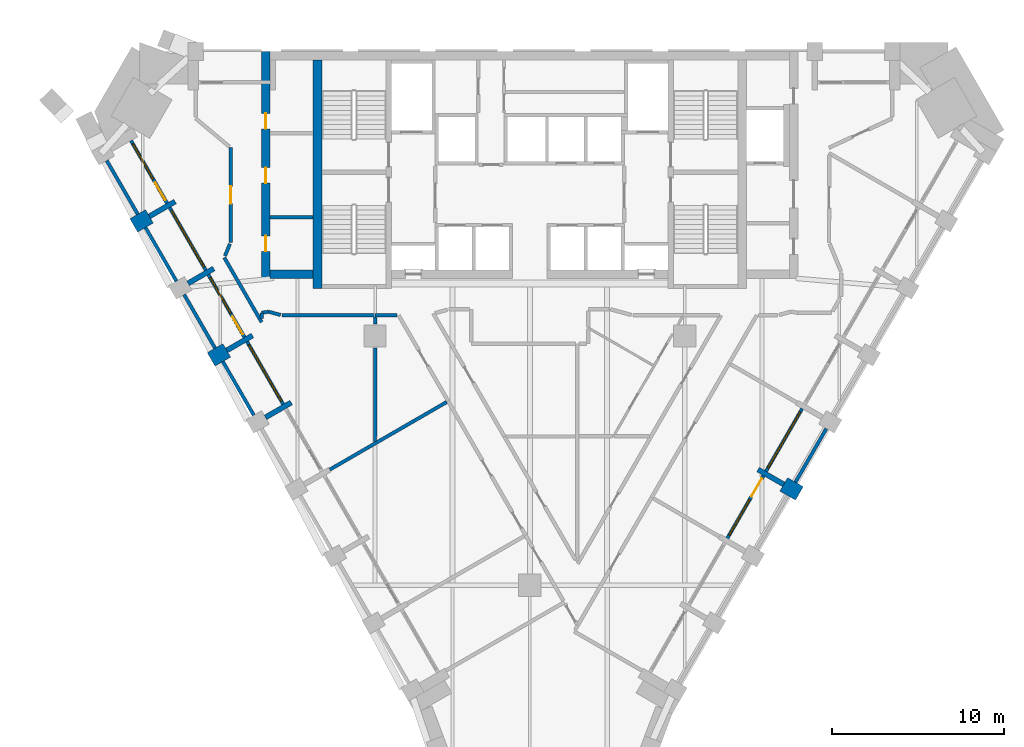
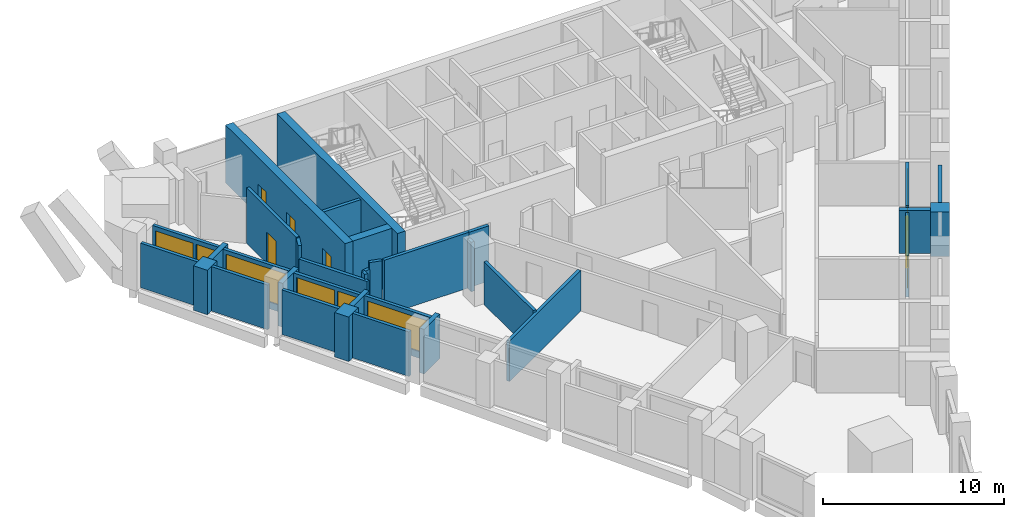
# One storey, part 4 of 10: 34 walls, 7 doors, 6 windows, 13 openings.
"""IFC4 building model written with IfcOpenShell, lengths in metres."""

import ifcopenshell
import ifcopenshell.guid

model = None  # the IFC model being written
_history = None  # IfcOwnerHistory: only IFC2X3 demands one
_inside = {}  # id of a spatial element -> (the spatial element, [elements in it])
_under = {}  # id of a project, library or spatial element -> (it, [spatial elements below it])
_declared = {}  # id of a project -> (the project, [libraries it declares])
_typed = {}  # id of a type object -> (the type object, [elements of that type])
_made_of = {}  # id of a material, layer set ... -> (it, [elements and type objects made of it])


def new_model(schema):
    """Start an empty IFC model of exactly this schema.

    Asked for "IFC4X3", IfcOpenShell would pick the latest addendum, in which some entities
    have other attributes; the version numbers below select the first issue.
    IFC2X3 requires an IfcOwnerHistory on every rooted entity: one is made here for all.
    """
    global model, _history
    if schema == "IFC4X3":
        model = ifcopenshell.file(schema_version=(4, 3, 0, 0))
    else:
        model = ifcopenshell.file(schema=schema)
    _inside.clear()
    _under.clear()
    _declared.clear()
    _typed.clear()
    _made_of.clear()
    _history = None
    if model.schema == "IFC2X3":
        org = make("IfcOrganization", Name="unknown")
        user = make(
            "IfcPersonAndOrganization",
            ThePerson=make("IfcPerson", FamilyName="unknown"),
            TheOrganization=org,
        )
        app = make(
            "IfcApplication",
            ApplicationDeveloper=org,
            Version="unknown",
            ApplicationFullName="unknown",
            ApplicationIdentifier="unknown",
        )
        _history = make(
            "IfcOwnerHistory",
            OwningUser=user,
            OwningApplication=app,
            ChangeAction="ADDED",
            CreationDate=0,
        )
    return model


def make(cls, **values):
    """One entity of the class cls with the attributes given. An attribute that is None is left unset."""
    return model.create_entity(
        cls, **{name: value for name, value in values.items() if value is not None}
    )


def rooted(cls, **values):
    """An entity with a GlobalId (a new one), such as an element, a storey or a relation."""
    return make(cls, GlobalId=ifcopenshell.guid.new(), OwnerHistory=_history, **values)


def si_unit(unit_type, name, prefix=None):
    """IfcSIUnit, for example si_unit("LENGTHUNIT", "METRE", prefix="MILLI")."""
    return make("IfcSIUnit", UnitType=unit_type, Prefix=prefix, Name=name)


def assignment(units):
    """IfcUnitAssignment: the units of a project."""
    return None if units is None else make("IfcUnitAssignment", Units=units)


def point(xyz):
    """IfcCartesianPoint."""
    return None if xyz is None else make("IfcCartesianPoint", Coordinates=xyz)


def direction(xyz):
    """IfcDirection."""
    return None if xyz is None else make("IfcDirection", DirectionRatios=xyz)


def frame(location, z_axis=None, x_axis=None):
    """IfcAxis2Placement3D, a coordinate frame: its origin and axes. An axis left out is left unset."""
    return make(
        "IfcAxis2Placement3D",
        Location=point(location),
        Axis=direction(z_axis),
        RefDirection=direction(x_axis),
    )


def frame_2d(location, x_axis=None):
    """IfcAxis2Placement2D, a coordinate frame in the plane: its origin and x axis."""
    return make(
        "IfcAxis2Placement2D", Location=point(location), RefDirection=direction(x_axis)
    )


def origin():
    """The frame at (0, 0, 0) with its axes left unset."""
    return frame((0.0, 0.0, 0.0))


def place(relative_to, where):
    """IfcLocalPlacement: puts the frame where relative to a parent placement (None: the world)."""
    return make(
        "IfcLocalPlacement", PlacementRelTo=relative_to, RelativePlacement=where
    )


def context(
    kind, dimensions, precision=None, world=None, true_north=None, identifier=None
):
    """IfcGeometricRepresentationContext, for example the 3D "Model" context."""
    return make(
        "IfcGeometricRepresentationContext",
        ContextIdentifier=identifier,
        ContextType=kind,
        CoordinateSpaceDimension=dimensions,
        Precision=precision,
        WorldCoordinateSystem=world,
        TrueNorth=true_north,
    )


def subcontext(parent, identifier, kind, view, scale=None):
    """IfcGeometricRepresentationSubContext, for example "Body" below "Model"."""
    return make(
        "IfcGeometricRepresentationSubContext",
        ContextIdentifier=identifier,
        ContextType=kind,
        ParentContext=parent,
        TargetScale=scale,
        TargetView=view,
    )


def project(units=None, contexts=None):
    """IfcProject with its units and contexts."""
    return rooted(
        "IfcProject",
        Name="project",
        RepresentationContexts=contexts,
        UnitsInContext=assignment(units),
    )


def spatial(cls, under=None, at=None, **own):
    """A site, building, storey or space (cls), placed at a placement, below another one or the project."""
    s = rooted(cls, ObjectPlacement=at, **own)
    if under is not None:
        _under.setdefault(under.id(), (under, []))[1].append(s)
    return s


def profile(cls, at=None, kind="AREA", **sizes):
    """A parametric profile (cls). Its sizes go by their IFC names, for example OverallWidth=200.0."""
    return make(cls, ProfileType=kind, Position=at, **sizes)


def rectangle(**sizes):
    """IfcRectangleProfileDef."""
    return profile("IfcRectangleProfileDef", **sizes)


def extrude(swept, where, along, depth):
    """IfcExtrudedAreaSolid: the profile swept, set in the frame where, extruded along a direction by depth."""
    return make(
        "IfcExtrudedAreaSolid",
        SweptArea=swept,
        Position=where,
        ExtrudedDirection=direction(along),
        Depth=depth,
    )


def shape(context_of_items, identifier, shape_type, items):
    """IfcShapeRepresentation: the items that make up one representation, for example the "Body"."""
    return make(
        "IfcShapeRepresentation",
        ContextOfItems=context_of_items,
        RepresentationIdentifier=identifier,
        RepresentationType=shape_type,
        Items=items,
    )


def material(Name=None, Category=None):
    """IfcMaterial."""
    return make("IfcMaterial", Name=Name, Category=Category)


def layer(
    of_material, thickness, ventilated=None, Name=None, Category=None, Priority=None
):
    """IfcMaterialLayer: one layer of a wall or slab, of a material (None: an air gap)."""
    return make(
        "IfcMaterialLayer",
        Material=of_material,
        LayerThickness=thickness,
        IsVentilated=ventilated,
        Name=Name,
        Category=Category,
        Priority=Priority,
    )


def layer_set(layers, Name=None):
    """IfcMaterialLayerSet."""
    return make("IfcMaterialLayerSet", MaterialLayers=layers, LayerSetName=Name)


def made_of(thing, what):
    """Note that an element or type object is made of a material, layer set ...; save() writes the relation."""
    if what is not None:
        _made_of.setdefault(what.id(), (what, []))[1].append(thing)
    return thing


def type_object(cls, material=None, **own):
    """A type object (cls), such as IfcWallType, which elements share."""
    return made_of(rooted(cls, **own), material)


def element(
    cls,
    number,
    at=None,
    inside=None,
    cuts=None,
    type_object=None,
    material=None,
    context=None,
    identifier="Body",
    shape_type=None,
    held_by="IfcProductDefinitionShape",
    body=None,
    shapes=None,
    **own,
):
    """One element of the class cls, such as IfcWall. Its Tag is "e" and its number.

    at: its placement. inside: the storey or other place that contains it. cuts: it is an
    opening in that element (IfcRelVoidsElement). A single representation is given by context,
    identifier, shape_type and body (its items); several are given by shapes. held_by: the class
    of the entity that holds the representations. save() writes the other relations.
    """
    e = rooted(cls, Tag="e%d" % number, ObjectPlacement=at, **own)
    if body is not None:
        shapes = [shape(context, identifier, shape_type, body)]
    if shapes is not None:
        e.Representation = make(held_by, Representations=shapes)
    if inside is not None:
        _inside.setdefault(inside.id(), (inside, []))[1].append(e)
    if cuts is not None:
        rooted(
            "IfcRelVoidsElement", RelatingBuildingElement=cuts, RelatedOpeningElement=e
        )
    if type_object is not None:
        _typed.setdefault(type_object.id(), (type_object, []))[1].append(e)
    return made_of(e, material)


def fill(opening, filler):
    """IfcRelFillsElement: the door or window that sits in an opening."""
    return rooted(
        "IfcRelFillsElement",
        RelatingOpeningElement=opening,
        RelatedBuildingElement=filler,
    )


def aggregate(whole, parts):
    """IfcRelAggregates: a whole, such as a stair, and the parts it consists of."""
    return rooted("IfcRelAggregates", RelatingObject=whole, RelatedObjects=parts)


def save(model, path):
    """Write the relations noted so far, then the file.

    IfcRelAggregates (storeys below a building ...), IfcRelContainedInSpatialStructure (elements
    in a storey), IfcRelDefinesByType, IfcRelAssociatesMaterial and IfcRelDeclares: one each for
    every whole, place, type object, material and project.
    """
    for whole, parts in _under.values():
        aggregate(whole, parts)
    for where, things in _inside.values():
        rooted(
            "IfcRelContainedInSpatialStructure",
            RelatedElements=things,
            RelatingStructure=where,
        )
    for kind, things in _typed.values():
        rooted("IfcRelDefinesByType", RelatedObjects=things, RelatingType=kind)
    for what, things in _made_of.values():
        rooted("IfcRelAssociatesMaterial", RelatedObjects=things, RelatingMaterial=what)
    for by, libraries in _declared.values():
        rooted("IfcRelDeclares", RelatingContext=by, RelatedDefinitions=libraries)
    model.write(path)


model = new_model("IFC4")

# Units and contexts
model_context = context("Model", 3, precision=1e-05, world=origin(), true_north=direction((0.0, 1.0)))
body_context = subcontext(model_context, "Body", "Model", "MODEL_VIEW")
ifc_project = project(units=[si_unit("LENGTHUNIT", "METRE"), si_unit("AREAUNIT", "SQUARE_METRE"), si_unit("VOLUMEUNIT", "CUBIC_METRE"), si_unit("PLANEANGLEUNIT", "RADIAN"), si_unit("MASSUNIT", "GRAM", prefix="KILO")], contexts=[model_context])

# Site, building, storey
site_placement = place(None, origin())
site = spatial("IfcSite", under=ifc_project, at=site_placement, CompositionType="ELEMENT")
building_placement = place(site_placement, origin())
building = spatial("IfcBuilding", under=site, at=building_placement, Name="Calabash Gate Tower", CompositionType="ELEMENT")
storey_placement = place(building_placement, frame((0.0, 0.0, 183.60009765625)))
storey = spatial("IfcBuildingStorey", under=building, at=storey_placement, Name="L43", CompositionType="ELEMENT", Elevation=183.60009765625)

# Walls
ifc_material_1 = material(Name="Terracotta brick masonry, exposed face", Category="masonry")
ifc_layer_1 = layer(ifc_material_1, 1.050048828125)
ifc_layer_set_1 = layer_set([ifc_layer_1], Name="Brick end wall 1050")
wall_type_1 = type_object("IfcWallType", Name="Brick end wall 1050", PredefinedType="SOLIDWALL", material=ifc_layer_set_1)
for number, where, z_axis, x_axis, name in (
    (1, (-23.03271484375, 8.93505859375, 0.0), (0.0, 0.0, 1.0), (0.866088799389, 0.499890179513, 0.0), "Brick pier S12 SW0.1"),
    (2, (-17.623291015625, 1.665771484375, 0.0), (0.0, 0.0, 1.0), (-0.866088799389, -0.499890179513, 0.0), "Brick pier S12 SW0.3"),
):
    element("IfcWall", number, at=place(storey_placement, frame(where, z_axis=z_axis, x_axis=x_axis)), inside=storey, type_object=wall_type_1, Name=name, PredefinedType="SOLIDWALL", context=body_context, shape_type="SweptSolid", body=[
        extrude(rectangle(XDim=1.050048828125, YDim=0.89990234375, at=frame_2d((0.52490234375, 0.0))), origin(), (0.0, 0.0, 1.0), 3.0),
    ])
wall_1_placement = place(storey_placement, frame((15.67626953125, -6.6533203125, 0.0), z_axis=(0.0, 0.0, 1.0), x_axis=(-0.866030680601, 0.499990860175, 0.0)))
element("IfcWall", 3, at=wall_1_placement, inside=storey, type_object=wall_type_1, Name="Brick pier S12 SE4.3", PredefinedType="SOLIDWALL", context=body_context, shape_type="SweptSolid", body=[
    extrude(rectangle(XDim=1.0498046875, YDim=0.89990234375, at=frame_2d((0.52490234375, 0.0))), origin(), (0.0, 0.0, 1.0), 3.0),
])
ifc_material_2 = material(Name="Terracotta brick masonry, exposed face", Category="masonry")
ifc_layer_2 = layer(ifc_material_2, 0.300048828125)
ifc_layer_set_2 = layer_set([ifc_layer_2], Name="Brick loggia cheek wall 300")
wall_type_2 = type_object("IfcWallType", Name="Brick loggia cheek wall 300", PredefinedType="SOLIDWALL", material=ifc_layer_set_2)
wall_2_placement = place(storey_placement, frame((-22.123291015625, 9.4599609375, 0.0), z_axis=(0.0, 0.0, 1.0), x_axis=(0.866013532718, 0.500020560727, 0.0)))
element("IfcWall", 4, at=wall_2_placement, inside=storey, type_object=wall_type_2, Name="Loggia cheek S12 SW0.1", PredefinedType="SOLIDWALL", context=body_context, shape_type="SweptSolid", body=[
    extrude(rectangle(XDim=1.72509765625, YDim=0.300048828125, at=frame_2d((0.862548828125, 0.0))), origin(), (0.0, 0.0, 1.0), 3.0),
])
wall_3_placement = place(storey_placement, frame((-19.873291015625, 5.56298828125, 0.0), z_axis=(0.0, 0.0, 1.0), x_axis=(0.866013532718, 0.500020560727, 0.0)))
element("IfcWall", 5, at=wall_3_placement, inside=storey, type_object=wall_type_2, Name="Loggia cheek S12 SW0.2", PredefinedType="SOLIDWALL", context=body_context, shape_type="SweptSolid", body=[
    extrude(rectangle(XDim=1.72509765625, YDim=0.300048828125, at=frame_2d((0.862548828125, 0.0))), origin(), (0.0, 0.0, 1.0), 2.949951171875),
])
wall_4_placement = place(storey_placement, frame((-17.623291015625, 1.665771484375, 0.0), z_axis=(0.0, 0.0, 1.0), x_axis=(0.866013532718, 0.500020560727, 0.0)))
element("IfcWall", 6, at=wall_4_placement, inside=storey, type_object=wall_type_2, Name="Loggia cheek S12 SW0.3", PredefinedType="SOLIDWALL", context=body_context, shape_type="SweptSolid", body=[
    extrude(rectangle(XDim=1.72509765625, YDim=0.300048828125, at=frame_2d((0.862548828125, 0.0))), origin(), (0.0, 0.0, 1.0), 3.0),
])
wall_5_placement = place(storey_placement, frame((-15.373291015625, -2.231201171875, 0.0), z_axis=(0.0, 0.0, 1.0), x_axis=(0.866074815912, 0.499914405916, 0.0)))
element("IfcWall", 7, at=wall_5_placement, inside=storey, type_object=wall_type_2, Name="Loggia cheek S12 SW0.4", PredefinedType="SOLIDWALL", context=body_context, shape_type="SweptSolid", body=[
    extrude(rectangle(XDim=1.724853515625, YDim=0.300048828125, at=frame_2d((0.8623046875, 0.0))), origin(), (0.0, 0.0, 1.0), 3.0),
])
wall_6_placement = place(storey_placement, frame((14.76708984375, -6.12841796875, 0.0), z_axis=(0.0, 0.0, 1.0), x_axis=(-0.866013532718, 0.500020560727, 0.0)))
element("IfcWall", 8, at=wall_6_placement, inside=storey, type_object=wall_type_2, Name="Loggia cheek S12 SE4.3", PredefinedType="SOLIDWALL", context=body_context, shape_type="SweptSolid", body=[
    extrude(rectangle(XDim=1.72509765625, YDim=0.300048828125, at=frame_2d((0.862548828125, 0.0))), origin(), (0.0, 0.0, 1.0), 2.884033203125),
])
ifc_material_3 = material(Name="Gypsum board on steel studs, mineral wool", Category="steel")
ifc_layer_3 = layer(ifc_material_3, 0.199951171875)
ifc_layer_set_3 = layer_set([ifc_layer_3], Name="Core partition 200 gypsum board")
wall_type_3 = type_object("IfcWallType", Name="Core partition 200 gypsum board", PredefinedType="PARTITIONING", material=ifc_layer_set_3)
wall_7_placement = place(storey_placement, frame((-15.10009765625, 9.402587890625, 0.0), z_axis=(0.0, 0.0, 1.0), x_axis=(1.0, 0.0, 0.0)))
element("IfcWall", 9, at=wall_7_placement, inside=storey, type_object=wall_type_3, Name="Core partition", PredefinedType="PARTITIONING", context=body_context, shape_type="SweptSolid", body=[
    extrude(rectangle(XDim=2.5, YDim=0.199951171875, at=frame_2d((1.25, 0.0))), origin(), (0.0, 0.0, 1.0), 3.72998046875),
])
ifc_material_4 = material(Name="Concrete C70/85", Category="concrete")
ifc_layer_4 = layer(ifc_material_4, 0.5)
ifc_layer_set_4 = layer_set([ifc_layer_4], Name="Core wall 500 Concrete C70/85")
wall_type_4 = type_object("IfcWallType", Name="Core wall 500 Concrete C70/85", PredefinedType="SHEAR", material=ifc_layer_set_4)
wall_8_placement = place(storey_placement, frame((-12.35009765625, 5.252685546875, 0.0), z_axis=(0.0, 0.0, 1.0), x_axis=(0.0, 1.0, 0.0)))
element("IfcWall", 10, at=wall_8_placement, inside=storey, type_object=wall_type_4, Name="Core wall Z3-COLW L43", PredefinedType="SHEAR", context=body_context, shape_type="SweptSolid", body=[
    extrude(rectangle(XDim=13.2998046875, YDim=0.5, at=frame_2d((6.64990234375, 0.0))), origin(), (0.0, 0.0, 1.0), 3.89990234375),
])
wall_9_placement = place(storey_placement, frame((-12.60009765625, 6.1025390625, 0.0), z_axis=(0.0, 0.0, 1.0), x_axis=(-1.0, 0.0, 0.0)))
element("IfcWall", 11, at=wall_9_placement, inside=storey, type_object=wall_type_4, Name="Core wall Z3-SW L43", PredefinedType="SHEAR", context=body_context, shape_type="SweptSolid", body=[
    extrude(rectangle(XDim=2.5, YDim=0.5, at=frame_2d((1.25, 0.0))), origin(), (0.0, 0.0, 1.0), 3.89990234375),
])

# Wall, openings, doors
wall_10_placement = place(storey_placement, frame((-15.35009765625, 5.8525390625, 0.0), z_axis=(0.0, 0.0, 1.0), x_axis=(0.0, 1.0, 0.0)))
wall_10 = element("IfcWall", 12, at=wall_10_placement, inside=storey, type_object=wall_type_4, Name="Core wall Z3-ENDW L43", PredefinedType="SHEAR", context=body_context, shape_type="SweptSolid", body=[
    extrude(rectangle(XDim=13.199951171875, YDim=0.5, at=frame_2d((6.60009765625, 0.0))), origin(), (0.0, 0.0, 1.0), 3.89990234375),
])
opening_1_placement = place(wall_10_placement, frame((1.574951171875, 0.0, 0.0)))
opening_1 = element("IfcOpeningElement", 13, at=opening_1_placement, cuts=wall_10, Name="Opening O4-004", PredefinedType="OPENING", context=body_context, shape_type="SweptSolid", body=[
    extrude(rectangle(XDim=0.89990234375, YDim=2.10009765625, at=frame_2d((0.449951171875, 1.050048828125))), frame((0.0, 0.260009765625, 0.0), z_axis=(0.0, -1.0, 0.0), x_axis=(1.0, 0.0, 0.0)), (0.0, 0.0, 1.0), 0.52001953125),
])
opening_2_placement = place(wall_10_placement, frame((5.5400390625, 0.0, 0.0)))
opening_2 = element("IfcOpeningElement", 14, at=opening_2_placement, cuts=wall_10, Name="Opening O4-005", PredefinedType="OPENING", context=body_context, shape_type="SweptSolid", body=[
    extrude(rectangle(XDim=0.89990234375, YDim=2.10009765625, at=frame_2d((0.449951171875, 1.050048828125))), frame((0.0, 0.260009765625, 0.0), z_axis=(0.0, -1.0, 0.0), x_axis=(1.0, 0.0, 0.0)), (0.0, 0.0, 1.0), 0.52001953125),
])
opening_3_placement = place(wall_10_placement, frame((8.697509765625, 0.0, 0.0)))
opening_3 = element("IfcOpeningElement", 15, at=opening_3_placement, cuts=wall_10, Name="Opening O4-006", PredefinedType="OPENING", context=body_context, shape_type="SweptSolid", body=[
    extrude(rectangle(XDim=0.89990234375, YDim=2.10009765625, at=frame_2d((0.449951171875, 1.050048828125))), frame((0.0, 0.260009765625, 0.0), z_axis=(0.0, -1.0, 0.0), x_axis=(1.0, 0.0, 0.0)), (0.0, 0.0, 1.0), 0.52001953125),
])
ifc_material_5 = material(Name="Steel fire door set with fire-resisting glazing", Category="steel")
door_type_1 = type_object("IfcDoorType", Name="Fire door D06 900x2100 FD60", OperationType="NOTDEFINED", PredefinedType="DOOR", material=ifc_material_5)
door_1_placement = place(opening_1_placement, origin())
door_1 = element("IfcDoor", 16, at=door_1_placement, inside=storey, type_object=door_type_1, Name="Meter Room door", OperationType="SINGLE_SWING_LEFT", OverallHeight=2.10009765625, OverallWidth=0.89990234375, PredefinedType="DOOR", context=body_context, shape_type="SweptSolid", body=[
    extrude(rectangle(XDim=0.89990234375, YDim=2.10009765625, at=frame_2d((0.449951171875, 1.050048828125))), frame((0.0, 0.02490234375, 0.0), z_axis=(0.0, -1.0, 0.0), x_axis=(1.0, 0.0, 0.0)), (0.0, 0.0, 1.0), 0.050048828125),
])
fill(opening_1, door_1)
door_2_placement = place(opening_2_placement, origin())
door_2 = element("IfcDoor", 17, at=door_2_placement, inside=storey, type_object=door_type_1, Name="Men's WC door", OperationType="SINGLE_SWING_LEFT", OverallHeight=2.10009765625, OverallWidth=0.89990234375, PredefinedType="DOOR", context=body_context, shape_type="SweptSolid", body=[
    extrude(rectangle(XDim=0.89990234375, YDim=2.10009765625, at=frame_2d((0.449951171875, 1.050048828125))), frame((0.0, 0.02490234375, 0.0), z_axis=(0.0, -1.0, 0.0), x_axis=(1.0, 0.0, 0.0)), (0.0, 0.0, 1.0), 0.050048828125),
])
fill(opening_2, door_2)
door_3_placement = place(opening_3_placement, origin())
door_3 = element("IfcDoor", 18, at=door_3_placement, inside=storey, type_object=door_type_1, Name="Women's WC door", OperationType="SINGLE_SWING_LEFT", OverallHeight=2.10009765625, OverallWidth=0.89990234375, PredefinedType="DOOR", context=body_context, shape_type="SweptSolid", body=[
    extrude(rectangle(XDim=0.89990234375, YDim=2.10009765625, at=frame_2d((0.449951171875, 1.050048828125))), frame((0.0, 0.02490234375, 0.0), z_axis=(0.0, -1.0, 0.0), x_axis=(1.0, 0.0, 0.0)), (0.0, 0.0, 1.0), 0.050048828125),
])
fill(opening_3, door_3)

# Walls
ifc_material_6 = material(Name="Gypsum board on steel studs, mineral wool", Category="steel")
ifc_layer_5 = layer(ifc_material_6, 0.199951171875)
ifc_layer_set_5 = layer_set([ifc_layer_5], Name="Partition 200 gypsum board EI 60")
wall_type_5 = type_object("IfcWallType", Name="Partition 200 gypsum board EI 60", PredefinedType="PARTITIONING", material=ifc_layer_set_5)
wall_11_placement = place(storey_placement, frame((-11.629638671875, -5.265380859375, 0.0), z_axis=(0.0, 0.0, 1.0), x_axis=(0.865784523432, 0.500416985109, 0.0)))
element("IfcWall", 19, at=wall_11_placement, inside=storey, type_object=wall_type_5, Name="Partition", PredefinedType="PARTITIONING", context=body_context, shape_type="SweptSolid", body=[
    extrude(rectangle(XDim=7.849365234375, YDim=0.199951171875, at=frame_2d((3.9248046875, 0.0))), origin(), (0.0, 0.0, 1.0), 2.74169921875),
])
wall_12_placement = place(storey_placement, frame((-9.001708984375, -3.646484375, 0.0), z_axis=(0.0, 0.0, 1.0), x_axis=(0.000268949741, 0.999999963833, 0.0)))
element("IfcWall", 20, at=wall_12_placement, inside=storey, type_object=wall_type_5, Name="Partition", PredefinedType="PARTITIONING", context=body_context, shape_type="SweptSolid", body=[
    extrude(rectangle(XDim=5.446533203125, YDim=0.199951171875, at=frame_2d((2.72314453125, 0.0))), origin(), (0.0, 0.0, 1.0), 2.884033203125),
])
wall_13_placement = place(storey_placement, frame((-9.001708984375, 3.599609375, 0.0), z_axis=(0.0, 0.0, 1.0), x_axis=(0.003665216676, -0.999993283071, 0.0)))
element("IfcWall", 21, at=wall_13_placement, inside=storey, type_object=wall_type_5, Name="Partition", PredefinedType="PARTITIONING", context=body_context, shape_type="SweptSolid", body=[
    extrude(rectangle(XDim=0.399658203125, YDim=0.199951171875, at=frame_2d((0.19970703125, 0.0))), origin(), (0.0, 0.0, 1.0), 3.33154296875),
])
wall_14_placement = place(storey_placement, frame((-17.7666015625, 7.06298828125, 0.0), z_axis=(0.0, 0.0, 1.0), x_axis=(0.500011878817, -0.866018545437, 0.0)))
element("IfcWall", 22, at=wall_14_placement, inside=storey, type_object=wall_type_5, Name="Partition", PredefinedType="PARTITIONING", context=body_context, shape_type="SweptSolid", body=[
    extrude(rectangle(XDim=4.33251953125, YDim=0.199951171875, at=frame_2d((2.166259765625, 0.0))), origin(), (0.0, 0.0, 1.0), 2.949951171875),
])
wall_15_placement = place(storey_placement, frame((-14.39990234375, 3.699462890625, 0.0), z_axis=(0.0, 0.0, 1.0), x_axis=(0.999999963202, -0.000271284522, 0.0)))
element("IfcWall", 23, at=wall_15_placement, inside=storey, type_object=wall_type_5, Name="Partition", PredefinedType="PARTITIONING", context=body_context, shape_type="SweptSolid", body=[
    extrude(rectangle(XDim=5.399658203125, YDim=0.199951171875, at=frame_2d((2.69970703125, 0.0))), origin(), (0.0, 0.0, 1.0), 3.72998046875),
])
wall_16_placement = place(storey_placement, frame((-9.0, 3.697998046875, 0.0), z_axis=(0.0, 0.0, 1.0), x_axis=(0.999999338651, 0.001150085496, 0.0)))
element("IfcWall", 24, at=wall_16_placement, inside=storey, type_object=wall_type_5, Name="Partition", PredefinedType="PARTITIONING", context=body_context, shape_type="SweptSolid", body=[
    extrude(rectangle(XDim=1.273681640625, YDim=0.199951171875, at=frame_2d((0.63671875, 0.0))), origin(), (0.0, 0.0, 1.0), 3.72998046875),
])
wall_17_placement = place(storey_placement, frame((-15.193359375, 3.91455078125, 0.0), z_axis=(0.0, 0.0, 1.0), x_axis=(0.965137431954, -0.26174364833, 0.0)))
element("IfcWall", 25, at=wall_17_placement, inside=storey, type_object=wall_type_5, Name="Partition", PredefinedType="PARTITIONING", context=body_context, shape_type="SweptSolid", body=[
    extrude(rectangle(XDim=0.721923828125, YDim=0.199951171875, at=frame_2d((0.36083984375, 0.0))), origin(), (0.0, 0.0, 1.0), 3.72998046875),
])
wall_18_placement = place(storey_placement, frame((-15.60009765625, 3.510498046875, 0.0), z_axis=(0.0, 0.0, 1.0), x_axis=(0.001429591105, 0.999998978134, 0.0)))
element("IfcWall", 26, at=wall_18_placement, inside=storey, type_object=wall_type_5, Name="Partition", PredefinedType="PARTITIONING", context=body_context, shape_type="SweptSolid", body=[
    extrude(rectangle(XDim=0.341552734375, YDim=0.199951171875, at=frame_2d((0.1708984375, 0.0))), origin(), (0.0, 0.0, 1.0), 3.281982421875),
])
wall_19_placement = place(storey_placement, frame((-15.599609375, 3.85205078125, 0.0), z_axis=(0.0, 0.0, 1.0), x_axis=(0.988371697651, 0.152057184254, 0.0)))
element("IfcWall", 27, at=wall_19_placement, inside=storey, type_object=wall_type_5, Name="Partition", PredefinedType="PARTITIONING", context=body_context, shape_type="SweptSolid", body=[
    extrude(rectangle(XDim=0.4111328125, YDim=0.199951171875, at=frame_2d((0.20556640625, 0.0))), origin(), (0.0, 0.0, 1.0), 3.281982421875),
])
wall_20_placement = place(storey_placement, frame((-17.728515625, 7.155517578125, 0.0), z_axis=(0.0, 0.0, 1.0), x_axis=(0.380379071784, 0.924830666527, 0.0)))
element("IfcWall", 28, at=wall_20_placement, inside=storey, type_object=wall_type_5, Name="Partition", PredefinedType="PARTITIONING", context=body_context, shape_type="SweptSolid", body=[
    extrude(rectangle(XDim=0.761962890625, YDim=0.199951171875, at=frame_2d((0.380859375, 0.0))), origin(), (0.0, 0.0, 1.0), 3.72998046875),
])

# Wall, opening, door
wall_21_placement = place(storey_placement, frame((-17.400390625, 7.95263671875, 0.0), z_axis=(0.0, 0.0, 1.0), x_axis=(0.0, 1.0, 0.0)))
wall_21 = element("IfcWall", 29, at=wall_21_placement, inside=storey, type_object=wall_type_5, Name="Partition", PredefinedType="PARTITIONING", context=body_context, shape_type="SweptSolid", body=[
    extrude(rectangle(XDim=5.499755859375, YDim=0.199951171875, at=frame_2d((2.75, 0.0))), origin(), (0.0, 0.0, 1.0), 3.72998046875),
])
opening_4_placement = place(wall_21_placement, frame((2.249755859375, 0.0, 0.0)))
opening_4 = element("IfcOpeningElement", 30, at=opening_4_placement, cuts=wall_21, Name="Opening 42-44-013", PredefinedType="OPENING", context=body_context, shape_type="SweptSolid", body=[
    extrude(rectangle(XDim=1.0, YDim=2.10009765625, at=frame_2d((0.5, 1.050048828125))), frame((0.0, 0.10986328125, 0.0), z_axis=(0.0, -1.0, 0.0), x_axis=(1.0, 0.0, 0.0)), (0.0, 0.0, 1.0), 0.219970703125),
])
ifc_material_7 = material(Name="Steel fire door set with fire-resisting glazing", Category="steel")
door_type_2 = type_object("IfcDoorType", Name="LD2 Meeting room door 1000x2100", OperationType="NOTDEFINED", PredefinedType="DOOR", material=ifc_material_7)
door_4_placement = place(opening_4_placement, origin())
door_4 = element("IfcDoor", 31, at=door_4_placement, inside=storey, type_object=door_type_2, Name="Meeting room door", OperationType="SINGLE_SWING_RIGHT", OverallHeight=2.10009765625, OverallWidth=1.0, PredefinedType="DOOR", context=body_context, shape_type="SweptSolid", body=[
    extrude(rectangle(XDim=1.0, YDim=2.10009765625, at=frame_2d((0.5, 1.050048828125))), frame((0.0, 0.02490234375, 0.0), z_axis=(0.0, -1.0, 0.0), x_axis=(1.0, 0.0, 0.0)), (0.0, 0.0, 1.0), 0.050048828125),
])
fill(opening_4, door_4)

# Walls
ifc_material_8 = material(Name="Terracotta brick masonry, perforated", Category="masonry")
ifc_layer_6 = layer(ifc_material_8, 0.199951171875)
ifc_layer_set_6 = layer_set([ifc_layer_6], Name="Terracotta jaali screen B")
wall_type_6 = type_object("IfcWallType", Name="Terracotta jaali screen B", PredefinedType="SOLIDWALL", material=ifc_layer_set_6)
wall_22_placement = place(storey_placement, frame((-24.60302734375, 12.705078125, 0.0), z_axis=(0.0, 0.0, 1.0), x_axis=(0.499982693035, -0.866035395735, 0.0)))
element("IfcWall", 32, at=wall_22_placement, inside=storey, type_object=wall_type_6, Name="SCREEN B S12 SW0.1", PredefinedType="SOLIDWALL", context=body_context, shape_type="SweptSolid", body=[
    extrude(rectangle(XDim=3.600341796875, YDim=0.199951171875, at=frame_2d((1.80029296875, 0.0))), origin(), (0.0, 0.0, 1.0), 3.0),
])
for number, where, z_axis, x_axis, name in (
    (33, (-22.35302734375, 8.807861328125, 0.0), (0.0, 0.0, 1.0), (0.500012057535, -0.866018442252, 0.0), "SCREEN B S12 SW0.2"),
    (34, (-20.10302734375, 4.91064453125, 0.0), (0.0, 0.0, 1.0), (0.500012057535, -0.866018442252, 0.0), "SCREEN B S12 SW0.3"),
    (35, (-17.85302734375, 1.013671875, 0.0), (0.0, 0.0, 1.0), (0.500012057535, -0.866018442252, 0.0), "SCREEN B S12 SW0.4"),
):
    element("IfcWall", number, at=place(storey_placement, frame(where, z_axis=z_axis, x_axis=x_axis)), inside=storey, type_object=wall_type_6, Name=name, PredefinedType="SOLIDWALL", context=body_context, shape_type="SweptSolid", body=[
        extrude(rectangle(XDim=3.60009765625, YDim=0.199951171875, at=frame_2d((1.800048828125, 0.0))), origin(), (0.0, 0.0, 1.0), 3.0),
    ])
wall_23_placement = place(storey_placement, frame((15.44677734375, -6.001220703125, 0.0), z_axis=(0.0, 0.0, 1.0), x_axis=(0.499961193289, 0.866047807691, 0.0)))
element("IfcWall", 36, at=wall_23_placement, inside=storey, type_object=wall_type_6, Name="SCREEN B S12 SE4.4", PredefinedType="SOLIDWALL", context=body_context, shape_type="SweptSolid", body=[
    extrude(rectangle(XDim=3.599853515625, YDim=0.199951171875, at=frame_2d((1.7998046875, 0.0))), origin(), (0.0, 0.0, 1.0), 3.0),
])

# Wall, openings, door, window
ifc_material_9 = material(Name="Aluminium framed window wall with insulated spandrel", Category="aluminium")
ifc_layer_7 = layer(ifc_material_9, 0.199951171875)
ifc_layer_set_7 = layer_set([ifc_layer_7], Name="Window wall 200")
wall_type_7 = type_object("IfcWallType", Name="Window wall 200", PredefinedType="ELEMENTEDWALL", material=ifc_layer_set_7)
wall_24_placement = place(storey_placement, frame((-23.194091796875, 13.86474609375, 0.0), z_axis=(0.0, 0.0, 1.0), x_axis=(0.49998411664, -0.866034573852, 0.0)))
wall_24 = element("IfcWall", 37, at=wall_24_placement, inside=storey, type_object=wall_type_7, Name="Window wall S12 SW0.1", PredefinedType="ELEMENTEDWALL", context=body_context, shape_type="SweptSolid", body=[
    extrude(rectangle(XDim=4.199951171875, YDim=0.199951171875, at=frame_2d((2.10009765625, 0.0))), origin(), (0.0, 0.0, 1.0), 3.0),
])
opening_5_placement = place(wall_24_placement, frame((0.199951171875, 0.0, 0.449951171875)))
opening_5 = element("IfcOpeningElement", 38, at=opening_5_placement, cuts=wall_24, Name="Opening OW1", PredefinedType="OPENING", context=body_context, shape_type="SweptSolid", body=[
    extrude(rectangle(XDim=2.39990234375, YDim=2.25, at=frame_2d((1.199951171875, 1.125))), frame((0.0, 0.10986328125, 0.0), z_axis=(0.0, -1.0, 0.0), x_axis=(1.0, 0.0, 0.0)), (0.0, 0.0, 1.0), 0.219970703125),
])
opening_6_placement = place(wall_24_placement, frame((2.800048828125, 0.0, 0.0)))
opening_6 = element("IfcOpeningElement", 39, at=opening_6_placement, cuts=wall_24, Name="Opening O4-025", PredefinedType="OPENING", context=body_context, shape_type="SweptSolid", body=[
    extrude(rectangle(XDim=1.199951171875, YDim=2.699951171875, at=frame_2d((0.60009765625, 1.35009765625))), frame((0.0, 0.10986328125, 0.0), z_axis=(0.0, -1.0, 0.0), x_axis=(1.0, 0.0, 0.0)), (0.0, 0.0, 1.0), 0.219970703125),
])
ifc_material_10 = material(Name="Anodised aluminium frame, bronze finish, impact-rated laminated clear glazing", Category="aluminium")
door_type_3 = type_object("IfcDoorType", Name="Loggia door DO1 1200x2700", OperationType="SLIDING_TO_LEFT", PredefinedType="DOOR", material=ifc_material_10)
door_5_placement = place(opening_6_placement, origin())
door_5 = element("IfcDoor", 40, at=door_5_placement, inside=storey, type_object=door_type_3, Name="Loggia door S12 SW0.1", OperationType="SINGLE_SWING_LEFT", OverallHeight=2.699951171875, OverallWidth=1.199951171875, PredefinedType="DOOR", context=body_context, shape_type="SweptSolid", body=[
    extrude(rectangle(XDim=1.199951171875, YDim=2.699951171875, at=frame_2d((0.60009765625, 1.35009765625))), frame((0.0, 0.02490234375, 0.0), z_axis=(0.0, -1.0, 0.0), x_axis=(1.0, 0.0, 0.0)), (0.0, 0.0, 1.0), 0.050048828125),
])
fill(opening_6, door_5)
ifc_material_11 = material(Name="Anodised aluminium frame, bronze finish, impact-rated laminated clear glazing", Category="aluminium")
window_type_1 = type_object("IfcWindowType", Name="Window OW1 2400x2250", PartitioningType="DOUBLE_PANEL_VERTICAL", PredefinedType="WINDOW", material=ifc_material_11)
window_1_placement = place(opening_5_placement, origin())
window_1 = element("IfcWindow", 41, at=window_1_placement, inside=storey, type_object=window_type_1, Name="Window OW1 S12 SW0.1", OverallHeight=2.25, OverallWidth=2.39990234375, PartitioningType="SINGLE_PANEL", PredefinedType="WINDOW", context=body_context, shape_type="SweptSolid", body=[
    extrude(rectangle(XDim=2.39990234375, YDim=2.25, at=frame_2d((1.199951171875, 1.125))), frame((0.0, 0.030029296875, 0.0), z_axis=(0.0, -1.0, 0.0), x_axis=(1.0, 0.0, 0.0)), (0.0, 0.0, 1.0), 0.06005859375),
])
fill(opening_5, window_1)

# Wall, opening, window
wall_25_placement = place(storey_placement, frame((-20.944091796875, 9.9677734375, 0.0), z_axis=(0.0, 0.0, 1.0), x_axis=(0.499958946799, -0.866049104564, 0.0)))
wall_25 = element("IfcWall", 42, at=wall_25_placement, inside=storey, type_object=wall_type_7, Name="Window wall S12 SW0.2", PredefinedType="ELEMENTEDWALL", context=body_context, shape_type="SweptSolid", body=[
    extrude(rectangle(XDim=4.199951171875, YDim=0.199951171875, at=frame_2d((2.10009765625, 0.0))), origin(), (0.0, 0.0, 1.0), 2.973388671875),
])
opening_7_placement = place(wall_25_placement, frame((0.199951171875, 0.0, 0.449951171875)))
opening_7 = element("IfcOpeningElement", 43, at=opening_7_placement, cuts=wall_25, Name="Opening OW2", PredefinedType="OPENING", context=body_context, shape_type="SweptSolid", body=[
    extrude(rectangle(XDim=3.800048828125, YDim=2.25, at=frame_2d((1.89990234375, 1.125))), frame((0.0, 0.10986328125, 0.0), z_axis=(0.0, -1.0, 0.0), x_axis=(1.0, 0.0, 0.0)), (0.0, 0.0, 1.0), 0.219970703125),
])
ifc_material_12 = material(Name="Anodised aluminium frame, bronze finish, impact-rated laminated clear glazing", Category="aluminium")
window_type_2 = type_object("IfcWindowType", Name="Window OW2 3800x2250", PartitioningType="TRIPLE_PANEL_VERTICAL", PredefinedType="WINDOW", material=ifc_material_12)
window_2_placement = place(opening_7_placement, origin())
window_2 = element("IfcWindow", 44, at=window_2_placement, inside=storey, type_object=window_type_2, Name="Window OW2 S12 SW0.2", OverallHeight=2.25, OverallWidth=3.800048828125, PartitioningType="SINGLE_PANEL", PredefinedType="WINDOW", context=body_context, shape_type="SweptSolid", body=[
    extrude(rectangle(XDim=3.800048828125, YDim=2.25, at=frame_2d((1.89990234375, 1.125))), frame((0.0, 0.030029296875, 0.0), z_axis=(0.0, -1.0, 0.0), x_axis=(1.0, 0.0, 0.0)), (0.0, 0.0, 1.0), 0.06005859375),
])
fill(opening_7, window_2)

# Wall, openings, door, window
wall_26_placement = place(storey_placement, frame((-18.694091796875, 6.070556640625, 0.0), z_axis=(0.0, 0.0, 1.0), x_axis=(0.49998411664, -0.866034573852, 0.0)))
wall_26 = element("IfcWall", 45, at=wall_26_placement, inside=storey, type_object=wall_type_7, Name="Window wall S12 SW0.3", PredefinedType="ELEMENTEDWALL", context=body_context, shape_type="SweptSolid", body=[
    extrude(rectangle(XDim=4.199951171875, YDim=0.199951171875, at=frame_2d((2.10009765625, 0.0))), origin(), (0.0, 0.0, 1.0), 2.949951171875),
])
opening_8_placement = place(wall_26_placement, frame((0.199951171875, 0.0, 0.449951171875)))
opening_8 = element("IfcOpeningElement", 46, at=opening_8_placement, cuts=wall_26, Name="Opening OW1", PredefinedType="OPENING", context=body_context, shape_type="SweptSolid", body=[
    extrude(rectangle(XDim=2.39990234375, YDim=2.25, at=frame_2d((1.199951171875, 1.125))), frame((0.0, 0.10986328125, 0.0), z_axis=(0.0, -1.0, 0.0), x_axis=(1.0, 0.0, 0.0)), (0.0, 0.0, 1.0), 0.219970703125),
])
opening_9_placement = place(wall_26_placement, frame((2.800048828125, 0.0, 0.0)))
opening_9 = element("IfcOpeningElement", 47, at=opening_9_placement, cuts=wall_26, Name="Opening O4-026", PredefinedType="OPENING", context=body_context, shape_type="SweptSolid", body=[
    extrude(rectangle(XDim=1.199951171875, YDim=2.699951171875, at=frame_2d((0.60009765625, 1.35009765625))), frame((0.0, 0.10986328125, 0.0), z_axis=(0.0, -1.0, 0.0), x_axis=(1.0, 0.0, 0.0)), (0.0, 0.0, 1.0), 0.219970703125),
])
door_6_placement = place(opening_9_placement, origin())
door_6 = element("IfcDoor", 48, at=door_6_placement, inside=storey, type_object=door_type_3, Name="Loggia door S12 SW0.3", OperationType="SINGLE_SWING_LEFT", OverallHeight=2.699951171875, OverallWidth=1.199951171875, PredefinedType="DOOR", context=body_context, shape_type="SweptSolid", body=[
    extrude(rectangle(XDim=1.199951171875, YDim=2.699951171875, at=frame_2d((0.60009765625, 1.35009765625))), frame((0.0, 0.02490234375, 0.0), z_axis=(0.0, -1.0, 0.0), x_axis=(1.0, 0.0, 0.0)), (0.0, 0.0, 1.0), 0.050048828125),
])
fill(opening_9, door_6)
window_3_placement = place(opening_8_placement, origin())
window_3 = element("IfcWindow", 49, at=window_3_placement, inside=storey, type_object=window_type_1, Name="Window OW1 S12 SW0.3", OverallHeight=2.25, OverallWidth=2.39990234375, PartitioningType="SINGLE_PANEL", PredefinedType="WINDOW", context=body_context, shape_type="SweptSolid", body=[
    extrude(rectangle(XDim=2.39990234375, YDim=2.25, at=frame_2d((1.199951171875, 1.125))), frame((0.0, 0.030029296875, 0.0), z_axis=(0.0, -1.0, 0.0), x_axis=(1.0, 0.0, 0.0)), (0.0, 0.0, 1.0), 0.06005859375),
])
fill(opening_8, window_3)

# Wall, opening, window
wall_27_placement = place(storey_placement, frame((-16.444091796875, 2.17333984375, 0.0), z_axis=(0.0, 0.0, 1.0), x_axis=(0.49998411664, -0.866034573852, 0.0)))
wall_27 = element("IfcWall", 50, at=wall_27_placement, inside=storey, type_object=wall_type_7, Name="Window wall S12 SW0.4", PredefinedType="ELEMENTEDWALL", context=body_context, shape_type="SweptSolid", body=[
    extrude(rectangle(XDim=4.199951171875, YDim=0.199951171875, at=frame_2d((2.10009765625, 0.0))), origin(), (0.0, 0.0, 1.0), 3.0),
])
opening_10_placement = place(wall_27_placement, frame((0.199951171875, 0.0, 0.449951171875)))
opening_10 = element("IfcOpeningElement", 51, at=opening_10_placement, cuts=wall_27, Name="Opening OW2", PredefinedType="OPENING", context=body_context, shape_type="SweptSolid", body=[
    extrude(rectangle(XDim=3.800048828125, YDim=2.25, at=frame_2d((1.89990234375, 1.125))), frame((0.0, 0.10986328125, 0.0), z_axis=(0.0, -1.0, 0.0), x_axis=(1.0, 0.0, 0.0)), (0.0, 0.0, 1.0), 0.219970703125),
])
window_4_placement = place(opening_10_placement, origin())
window_4 = element("IfcWindow", 52, at=window_4_placement, inside=storey, type_object=window_type_2, Name="Window OW2 S12 SW0.4", OverallHeight=2.25, OverallWidth=3.800048828125, PartitioningType="SINGLE_PANEL", PredefinedType="WINDOW", context=body_context, shape_type="SweptSolid", body=[
    extrude(rectangle(XDim=3.800048828125, YDim=2.25, at=frame_2d((1.89990234375, 1.125))), frame((0.0, 0.030029296875, 0.0), z_axis=(0.0, -1.0, 0.0), x_axis=(1.0, 0.0, 0.0)), (0.0, 0.0, 1.0), 0.06005859375),
])
fill(opening_10, window_4)

# Wall, openings, door, window
wall_28_placement = place(storey_placement, frame((11.48779296875, -9.258056640625, 0.0), z_axis=(0.0, 0.0, 1.0), x_axis=(0.500027713859, 0.866009402589, 0.0)))
wall_28 = element("IfcWall", 53, at=wall_28_placement, inside=storey, type_object=wall_type_7, Name="Window wall S12 SE4.3", PredefinedType="ELEMENTEDWALL", context=body_context, shape_type="SweptSolid", body=[
    extrude(rectangle(XDim=4.199951171875, YDim=0.199951171875, at=frame_2d((2.10009765625, 0.0))), origin(), (0.0, 0.0, 1.0), 2.74169921875),
])
opening_11_placement = place(wall_28_placement, frame((0.199951171875, 0.0, 0.449951171875)))
opening_11 = element("IfcOpeningElement", 54, at=opening_11_placement, cuts=wall_28, Name="Opening OW1L-2190", PredefinedType="OPENING", context=body_context, shape_type="SweptSolid", body=[
    extrude(rectangle(XDim=2.39990234375, YDim=2.18994140625, at=frame_2d((1.199951171875, 1.094970703125))), frame((0.0, 0.10986328125, 0.0), z_axis=(0.0, -1.0, 0.0), x_axis=(1.0, 0.0, 0.0)), (0.0, 0.0, 1.0), 0.219970703125),
])
opening_12_placement = place(wall_28_placement, frame((2.800048828125, 0.0, 0.0)))
opening_12 = element("IfcOpeningElement", 55, at=opening_12_placement, cuts=wall_28, Name="Opening O4-022", PredefinedType="OPENING", context=body_context, shape_type="SweptSolid", body=[
    extrude(rectangle(XDim=1.199951171875, YDim=2.639892578125, at=frame_2d((0.60009765625, 1.31982421875))), frame((0.0, 0.10986328125, 0.0), z_axis=(0.0, -1.0, 0.0), x_axis=(1.0, 0.0, 0.0)), (0.0, 0.0, 1.0), 0.219970703125),
])
ifc_material_13 = material(Name="Anodised aluminium frame, bronze finish, impact-rated laminated clear glazing", Category="aluminium")
door_type_4 = type_object("IfcDoorType", Name="Loggia door DO1L-2640 1200x2640", OperationType="SLIDING_TO_LEFT", PredefinedType="DOOR", material=ifc_material_13)
door_7_placement = place(opening_12_placement, origin())
door_7 = element("IfcDoor", 56, at=door_7_placement, inside=storey, type_object=door_type_4, Name="Loggia door S12 SE4.3", OperationType="SINGLE_SWING_LEFT", OverallHeight=2.639892578125, OverallWidth=1.199951171875, PredefinedType="DOOR", context=body_context, shape_type="SweptSolid", body=[
    extrude(rectangle(XDim=1.199951171875, YDim=2.639892578125, at=frame_2d((0.60009765625, 1.31982421875))), frame((0.0, 0.02490234375, 0.0), z_axis=(0.0, -1.0, 0.0), x_axis=(1.0, 0.0, 0.0)), (0.0, 0.0, 1.0), 0.050048828125),
])
fill(opening_12, door_7)
ifc_material_14 = material(Name="Anodised aluminium frame, bronze finish, impact-rated laminated clear glazing", Category="aluminium")
window_type_3 = type_object("IfcWindowType", Name="Window OW1L 2400x2190", PartitioningType="DOUBLE_PANEL_VERTICAL", PredefinedType="WINDOW", material=ifc_material_14)
window_5_placement = place(opening_11_placement, origin())
window_5 = element("IfcWindow", 57, at=window_5_placement, inside=storey, type_object=window_type_3, Name="Window OW1 S12 SE4.3", OverallHeight=2.18994140625, OverallWidth=2.39990234375, PartitioningType="SINGLE_PANEL", PredefinedType="WINDOW", context=body_context, shape_type="SweptSolid", body=[
    extrude(rectangle(XDim=2.39990234375, YDim=2.18994140625, at=frame_2d((1.199951171875, 1.094970703125))), frame((0.0, 0.030029296875, 0.0), z_axis=(0.0, -1.0, 0.0), x_axis=(1.0, 0.0, 0.0)), (0.0, 0.0, 1.0), 0.06005859375),
])
fill(opening_11, window_5)

# Wall, opening, window
wall_29_placement = place(storey_placement, frame((13.73779296875, -5.361083984375, 0.0), z_axis=(0.0, 0.0, 1.0), x_axis=(0.500002543286, 0.866023935413, 0.0)))
wall_29 = element("IfcWall", 58, at=wall_29_placement, inside=storey, type_object=wall_type_7, Name="Window wall S12 SE4.4", PredefinedType="ELEMENTEDWALL", context=body_context, shape_type="SweptSolid", body=[
    extrude(rectangle(XDim=4.2001953125, YDim=0.199951171875, at=frame_2d((2.10009765625, 0.0))), origin(), (0.0, 0.0, 1.0), 3.0),
])
opening_13_placement = place(wall_29_placement, frame((0.199951171875, 0.0, 0.449951171875)))
opening_13 = element("IfcOpeningElement", 59, at=opening_13_placement, cuts=wall_29, Name="Opening OW2", PredefinedType="OPENING", context=body_context, shape_type="SweptSolid", body=[
    extrude(rectangle(XDim=3.800048828125, YDim=2.25, at=frame_2d((1.89990234375, 1.125))), frame((0.0, 0.10986328125, 0.0), z_axis=(0.0, -1.0, 0.0), x_axis=(1.0, 0.0, 0.0)), (0.0, 0.0, 1.0), 0.219970703125),
])
window_6_placement = place(opening_13_placement, origin())
window_6 = element("IfcWindow", 60, at=window_6_placement, inside=storey, type_object=window_type_2, Name="Window OW2 S12 SE4.4", OverallHeight=2.25, OverallWidth=3.800048828125, PartitioningType="SINGLE_PANEL", PredefinedType="WINDOW", context=body_context, shape_type="SweptSolid", body=[
    extrude(rectangle(XDim=3.800048828125, YDim=2.25, at=frame_2d((1.89990234375, 1.125))), frame((0.0, 0.030029296875, 0.0), z_axis=(0.0, -1.0, 0.0), x_axis=(1.0, 0.0, 0.0)), (0.0, 0.0, 1.0), 0.06005859375),
])
fill(opening_13, window_6)

save(model, "model.ifc")
